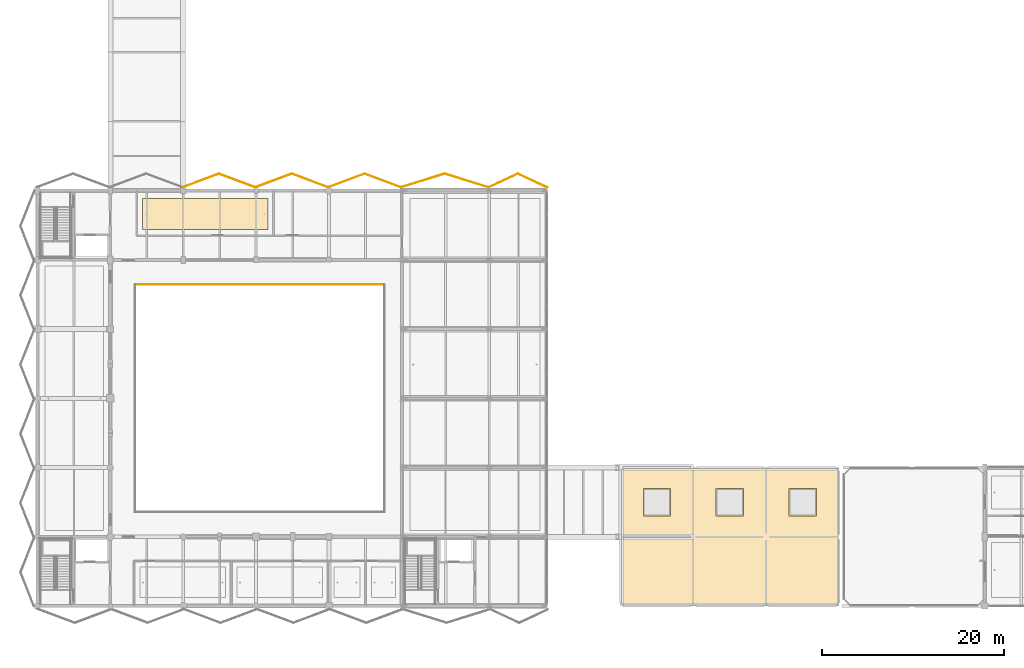
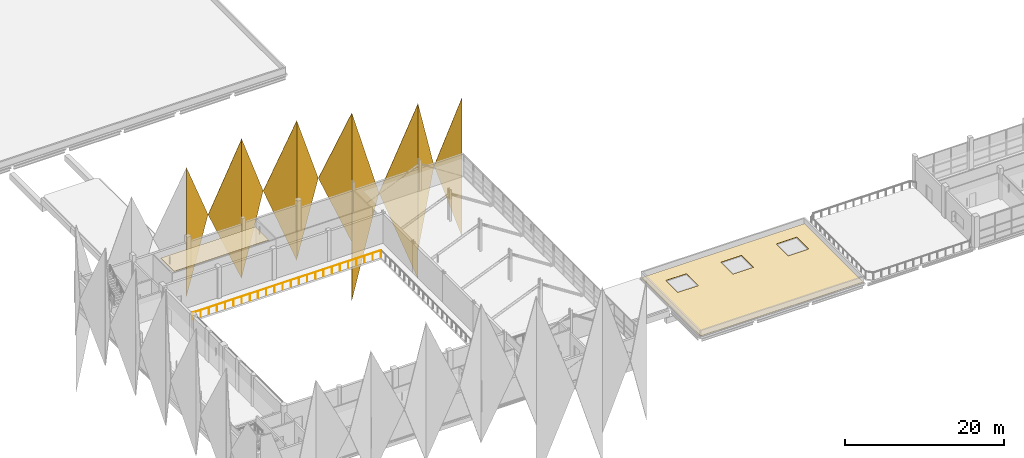
# One storey, part 102 of 107: 12 coverings, 1 railing.
"""IFC4 building model written with IfcOpenShell, lengths in metres."""

from ifc_helpers import new_model, si_unit, direction, frame, origin, origin_2d, place, context, subcontext, project, spatial, polyline, circle, outline, extrude, material, layer, layer_set, type_object, element, save


model = new_model("IFC4")

# Units and contexts
model_context = context("Model", 3, precision=1e-05, world=origin(), true_north=direction((0.0, 1.0)))
body_context = subcontext(model_context, "Body", "Model", "MODEL_VIEW")
ifc_project = project(units=[si_unit("LENGTHUNIT", "METRE"), si_unit("AREAUNIT", "SQUARE_METRE"), si_unit("VOLUMEUNIT", "CUBIC_METRE"), si_unit("PLANEANGLEUNIT", "RADIAN"), si_unit("MASSUNIT", "GRAM", prefix="KILO")], contexts=[model_context])

# Site, building, storey
site_placement = place(None, origin())
site = spatial("IfcSite", under=ifc_project, at=site_placement, CompositionType="ELEMENT")
building_placement = place(site_placement, origin())
building = spatial("IfcBuilding", under=site, at=building_placement, Name="Khelvaren Railside Concert Hall", CompositionType="ELEMENT")
storey_placement = place(building_placement, frame((0.0, 0.0, 15.0)))
storey = spatial("IfcBuildingStorey", under=building, at=storey_placement, Name="L03", CompositionType="ELEMENT", Elevation=15.0)

# Coverings
ifc_material_1 = material(Name="Precast architectural concrete C45/55", Category="concrete")
ifc_layer_1 = layer(ifc_material_1, 0.06005859375)
ifc_layer_set_1 = layer_set([ifc_layer_1], Name="Precast architectural concrete C45/55")
covering_type_1 = type_object("IfcCoveringType", Name="CLD31", PredefinedType="CLADDING", material=ifc_layer_set_1)
covering_1_placement = place(storey_placement, frame((16.0, 45.955078125, 15.025634765625), z_axis=(0.350070608968, -0.936723314932, 0.0), x_axis=(0.0, 0.0, -1.0)))
element("IfcCovering", 1, at=covering_1_placement, inside=storey, type_object=covering_type_1, Name="Main Hall Cut-Crystal Flank Facet N-3W", PredefinedType="CLADDING", context=body_context, shape_type="SweptSolid", body=[
    extrude(outline(polyline([(0.0, 0.0), (19.82568359375, 0.0), (9.516357421875, 4.270204377576482), (0.0, 0.0)])), origin(), (0.0, 0.0, -1.0), 0.06005859375),
])
covering_2_placement = place(storey_placement, frame((32.0, 45.955078125, 16.638427734375), z_axis=(0.350070608968, 0.936723314932, 0.0), x_axis=(0.0, 0.0, -1.0)))
element("IfcCovering", 2, at=covering_2_placement, inside=storey, type_object=covering_type_1, Name="Main Hall Cut-Crystal Flank Facet N-4E", PredefinedType="CLADDING", context=body_context, shape_type="SweptSolid", body=[
    extrude(outline(polyline([(0.0, 0.0), (21.4384765625, 0.0), (10.29052734375, 4.270204377576482), (0.0, 0.0)])), origin(), (0.0, 0.0, -1.0), 0.06005859375),
])
covering_3_placement = place(storey_placement, frame((32.0, 45.955078125, 16.638427734375), z_axis=(0.350070608968, -0.936723314932, 0.0), x_axis=(0.0, 0.0, -1.0)))
element("IfcCovering", 3, at=covering_3_placement, inside=storey, type_object=covering_type_1, Name="Main Hall Cut-Crystal Flank Facet N-5W", PredefinedType="CLADDING", context=body_context, shape_type="SweptSolid", body=[
    extrude(outline(polyline([(0.0, 0.0), (21.4384765625, 0.0), (11.129150390625, 4.270204377576482), (0.0, 0.0)])), origin(), (0.0, 0.0, -1.0), 0.06005859375),
])
covering_4_placement = place(storey_placement, frame((49.60009765625, 45.955078125, 13.090087890625), z_axis=(0.297343020211, 0.954770720295, 0.0), x_axis=(0.0, 0.0, -1.0)))
element("IfcCovering", 4, at=covering_4_placement, inside=storey, type_object=covering_type_1, Name="Main Hall Cut-Crystal Flank Facet N-6E", PredefinedType="CLADDING", context=body_context, shape_type="SweptSolid", body=[
    extrude(outline(polyline([(0.0, 0.0), (26.89013671875, 0.0), (12.9072265625, 5.027436143667817), (0.0, 0.0)])), origin(), (0.0, 0.0, -1.0), 0.06005859375),
])
covering_5_placement = place(storey_placement, frame((49.60009765625, 45.955078125, 13.090087890625), z_axis=(0.423248712878, -0.906013535797, 0.0), x_axis=(0.0, 0.0, -1.0)))
element("IfcCovering", 5, at=covering_5_placement, inside=storey, type_object=covering_type_1, Name="Main Hall Cut-Crystal Flank Facet N-7W", PredefinedType="CLADDING", context=body_context, shape_type="SweptSolid", body=[
    extrude(outline(polyline([(0.0, 0.0), (22.690185546875, 0.0), (11.56201171875, 3.531902168613611), (0.0, 0.0)])), origin(), (0.0, 0.0, -1.0), 0.06005859375),
])
ifc_material_2 = material(Name="Board-marked precast concrete C45/55", Category="concrete")
ifc_layer_2 = layer(ifc_material_2, 0.070068359375)
ifc_layer_set_2 = layer_set([ifc_layer_2], Name="Board-marked precast concrete C45/55")
covering_type_2 = type_object("IfcCoveringType", Name="CLD68", PredefinedType="CLADDING", material=ifc_layer_set_2)
covering_6_placement = place(storey_placement, frame((24.0, 45.955078125, 16.638427734375), z_axis=(0.350070608968, 0.936723314932, 0.0), x_axis=(0.0, 0.0, -1.0)))
element("IfcCovering", 6, at=covering_6_placement, inside=storey, type_object=covering_type_2, Name="Main Hall Cut-Crystal Flank Facet N-3E", PredefinedType="CLADDING", context=body_context, shape_type="SweptSolid", body=[
    extrude(outline(polyline([(0.0, 0.0), (21.4384765625, 0.0), (11.129150390625, 4.270204377576482), (0.0, 0.0)])), origin(), (0.0, 0.0, -1.0), 0.070068359375),
])
covering_7_placement = place(storey_placement, frame((24.0, 45.955078125, 16.638427734375), z_axis=(0.350070608968, -0.936723314932, 0.0), x_axis=(0.0, 0.0, -1.0)))
element("IfcCovering", 7, at=covering_7_placement, inside=storey, type_object=covering_type_2, Name="Main Hall Cut-Crystal Flank Facet N-4W", PredefinedType="CLADDING", context=body_context, shape_type="SweptSolid", body=[
    extrude(outline(polyline([(0.0, 0.0), (21.4384765625, 0.0), (10.29052734375, 4.270204377576482), (0.0, 0.0)])), origin(), (0.0, 0.0, -1.0), 0.070068359375),
])
covering_8_placement = place(storey_placement, frame((40.0, 45.955078125, 15.025634765625), z_axis=(0.350070608968, 0.936723314932, 0.0), x_axis=(0.0, 0.0, -1.0)))
element("IfcCovering", 8, at=covering_8_placement, inside=storey, type_object=covering_type_2, Name="Main Hall Cut-Crystal Flank Facet N-5E", PredefinedType="CLADDING", context=body_context, shape_type="SweptSolid", body=[
    extrude(outline(polyline([(0.0, 0.0), (19.82568359375, 0.0), (9.516357421875, 4.270204377576482), (0.0, 0.0)])), origin(), (0.0, 0.0, -1.0), 0.070068359375),
])
covering_9_placement = place(storey_placement, frame((40.0, 45.955078125, 15.025634765625), z_axis=(0.297343020211, -0.954770720295, 0.0), x_axis=(0.0, 0.0, -1.0)))
element("IfcCovering", 9, at=covering_9_placement, inside=storey, type_object=covering_type_2, Name="Main Hall Cut-Crystal Flank Facet N-6W", PredefinedType="CLADDING", context=body_context, shape_type="SweptSolid", body=[
    extrude(outline(polyline([(0.0, 0.0), (28.82568359375, 0.0), (14.8427734375, 5.027436143667817), (0.0, 0.0)])), origin(), (0.0, 0.0, -1.0), 0.070068359375),
])
covering_10_placement = place(storey_placement, frame((56.0, 45.955078125, 11.800048828125), z_axis=(0.423248712878, 0.906013535797, 0.0), x_axis=(0.0, 0.0, -1.0)))
element("IfcCovering", 10, at=covering_10_placement, inside=storey, type_object=covering_type_2, Name="Main Hall Cut-Crystal Flank Facet N-7E", PredefinedType="CLADDING", context=body_context, shape_type="SweptSolid", body=[
    extrude(outline(polyline([(0.0, 0.0), (21.400146484375, 0.0), (10.27197265625, 3.5319021686136116), (0.0, 0.0)])), origin(), (0.0, 0.0, -1.0), 0.070068359375),
])
ifc_material_3 = material(Name="Micro-perforated timber acoustic ceiling", Category="wood")
ifc_layer_3 = layer(ifc_material_3, 0.030029296875)
ifc_layer_set_3 = layer_set([ifc_layer_3], Name="Micro-perforated timber acoustic ceiling")
covering_type_3 = type_object("IfcCoveringType", Name="CLG77", PredefinedType="CEILING", material=ifc_layer_set_3)
covering_11_placement = place(storey_placement, frame((0.0, 0.0, 3.419921875)))
element("IfcCovering", 11, at=covering_11_placement, inside=storey, type_object=covering_type_3, Name="Suspended Acoustic Ceiling Acoustic Banner Tuning Room L03", PredefinedType="CEILING", context=body_context, shape_type="SweptSolid", body=[
    extrude(outline(polyline([(11.530029296875, 41.330078125), (25.280029296875, 41.330078125), (25.280029296875, 44.719970703125), (11.530029296875, 44.719970703125), (11.530029296875, 41.330078125)])), origin(), (0.0, 0.0, 1.0), 0.030029296875),
])

# Railing
ifc_material_4 = material(Name="Acoustic bronze and laminated glass guardrail", Category="glass")
railing_type = type_object("IfcRailingType", Name="GRD91", PredefinedType="GUARDRAIL", material=ifc_material_4)
railing_placement = place(storey_placement, frame((38.080078125, 35.280029296875, 0.0)))
element("IfcRailing", 12, at=railing_placement, inside=storey, type_object=railing_type, Name="V1 L03 Acoustic Bowl Edge Guardrail N", PredefinedType="GUARDRAIL", context=body_context, shape_type="SweptSolid", body=[
    extrude(circle(Radius=0.02392578125, at=origin_2d()), frame((0.0, 0.0, 1.076171875), z_axis=(-1.0, 0.0, 0.0), x_axis=(0.0, -1.0, 0.0)), (0.0, 0.0, 1.0), 27.360107421875),
    extrude(circle(Radius=0.02099609375, at=origin_2d()), origin(), (0.0, 0.0, 1.0), 1.052001953125),
    extrude(circle(Radius=0.02099609375, at=origin_2d()), frame((-1.189453125, 0.0, 0.0)), (0.0, 0.0, 1.0), 1.052001953125),
    extrude(circle(Radius=0.02099609375, at=origin_2d()), frame((-2.379150390625, 0.0, 0.0)), (0.0, 0.0, 1.0), 1.052001953125),
    extrude(circle(Radius=0.02099609375, at=origin_2d()), frame((-3.568603515625, 0.0, 0.0)), (0.0, 0.0, 1.0), 1.052001953125),
    extrude(circle(Radius=0.02099609375, at=origin_2d()), frame((-4.75830078125, 0.0, 0.0)), (0.0, 0.0, 1.0), 1.052001953125),
    extrude(circle(Radius=0.02099609375, at=origin_2d()), frame((-5.94775390625, 0.0, 0.0)), (0.0, 0.0, 1.0), 1.052001953125),
    extrude(circle(Radius=0.02099609375, at=origin_2d()), frame((-7.137451171875, 0.0, 0.0)), (0.0, 0.0, 1.0), 1.052001953125),
    extrude(circle(Radius=0.02099609375, at=origin_2d()), frame((-8.326904296875, 0.0, 0.0)), (0.0, 0.0, 1.0), 1.052001953125),
    extrude(circle(Radius=0.02099609375, at=origin_2d()), frame((-9.5166015625, 0.0, 0.0)), (0.0, 0.0, 1.0), 1.052001953125),
    extrude(circle(Radius=0.02099609375, at=origin_2d()), frame((-10.7060546875, 0.0, 0.0)), (0.0, 0.0, 1.0), 1.052001953125),
    extrude(circle(Radius=0.02099609375, at=origin_2d()), frame((-11.895751953125, 0.0, 0.0)), (0.0, 0.0, 1.0), 1.052001953125),
    extrude(circle(Radius=0.02099609375, at=origin_2d()), frame((-13.085205078125, 0.0, 0.0)), (0.0, 0.0, 1.0), 1.052001953125),
    extrude(circle(Radius=0.02099609375, at=origin_2d()), frame((-14.27490234375, 0.0, 0.0)), (0.0, 0.0, 1.0), 1.052001953125),
    extrude(circle(Radius=0.02099609375, at=origin_2d()), frame((-15.46435546875, 0.0, 0.0)), (0.0, 0.0, 1.0), 1.052001953125),
    extrude(circle(Radius=0.02099609375, at=origin_2d()), frame((-16.654052734375, 0.0, 0.0)), (0.0, 0.0, 1.0), 1.052001953125),
    extrude(circle(Radius=0.02099609375, at=origin_2d()), frame((-17.843505859375, 0.0, 0.0)), (0.0, 0.0, 1.0), 1.052001953125),
    extrude(circle(Radius=0.02099609375, at=origin_2d()), frame((-19.033203125, 0.0, 0.0)), (0.0, 0.0, 1.0), 1.052001953125),
    extrude(circle(Radius=0.02099609375, at=origin_2d()), frame((-20.22265625, 0.0, 0.0)), (0.0, 0.0, 1.0), 1.052001953125),
    extrude(circle(Radius=0.02099609375, at=origin_2d()), frame((-21.412353515625, 0.0, 0.0)), (0.0, 0.0, 1.0), 1.052001953125),
    extrude(circle(Radius=0.02099609375, at=origin_2d()), frame((-22.601806640625, 0.0, 0.0)), (0.0, 0.0, 1.0), 1.052001953125),
    extrude(circle(Radius=0.02099609375, at=origin_2d()), frame((-23.79150390625, 0.0, 0.0)), (0.0, 0.0, 1.0), 1.052001953125),
    extrude(circle(Radius=0.02099609375, at=origin_2d()), frame((-24.98095703125, 0.0, 0.0)), (0.0, 0.0, 1.0), 1.052001953125),
    extrude(circle(Radius=0.02099609375, at=origin_2d()), frame((-26.170654296875, 0.0, 0.0)), (0.0, 0.0, 1.0), 1.052001953125),
    extrude(circle(Radius=0.02099609375, at=origin_2d()), frame((-27.360107421875, 0.0, 0.0)), (0.0, 0.0, 1.0), 1.052001953125),
])

# Covering
ifc_material_5 = material(Name="Standing-seam acoustic zinc and waterproof membrane", Category="steel")
ifc_layer_4 = layer(ifc_material_5, 0.050048828125)
ifc_layer_set_4 = layer_set([ifc_layer_4], Name="Standing-seam acoustic zinc and waterproof membrane")
covering_type_4 = type_object("IfcCoveringType", Name="RFG46", PredefinedType="ROOFING", material=ifc_layer_set_4)
covering_12_placement = place(storey_placement, origin())
element("IfcCovering", 13, at=covering_12_placement, inside=storey, type_object=covering_type_4, Name="Acoustic Standing-Seam Roofing V3-W-L03", PredefinedType="ROOFING", context=body_context, shape_type="SweptSolid", body=[
    extrude(outline(polyline([(64.199951171875, 0.199951171875), (87.85009765625, 0.199951171875), (87.85009765625, 15.0), (64.199951171875, 15.0), (64.199951171875, 0.199951171875)]), holes=[polyline([(66.5, 9.89990234375), (69.5, 9.89990234375), (69.5, 12.89990234375), (66.5, 12.89990234375), (66.5, 9.89990234375)]), polyline([(74.5, 9.89990234375), (77.5, 9.89990234375), (77.5, 12.89990234375), (74.5, 12.89990234375), (74.5, 9.89990234375)]), polyline([(82.5, 9.89990234375), (85.5, 9.89990234375), (85.5, 12.89990234375), (82.5, 12.89990234375), (82.5, 9.89990234375)])]), origin(), (0.0, 0.0, 1.0), 0.050048828125),
])

save(model, "model.ifc")
